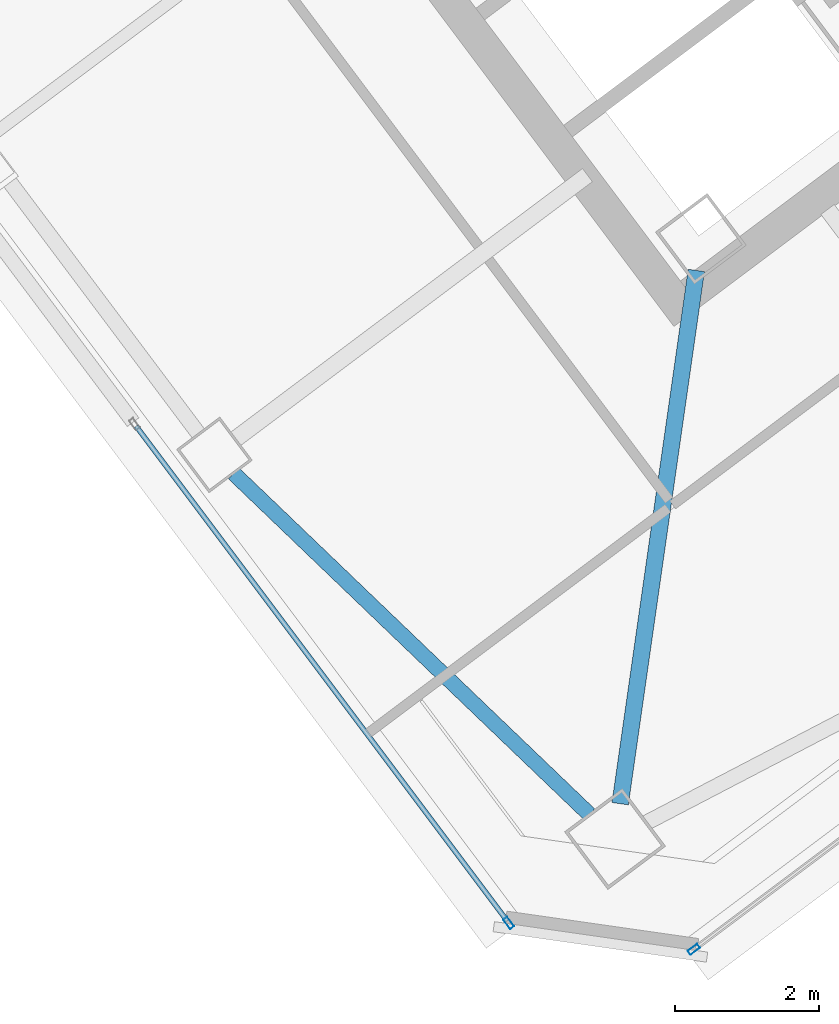
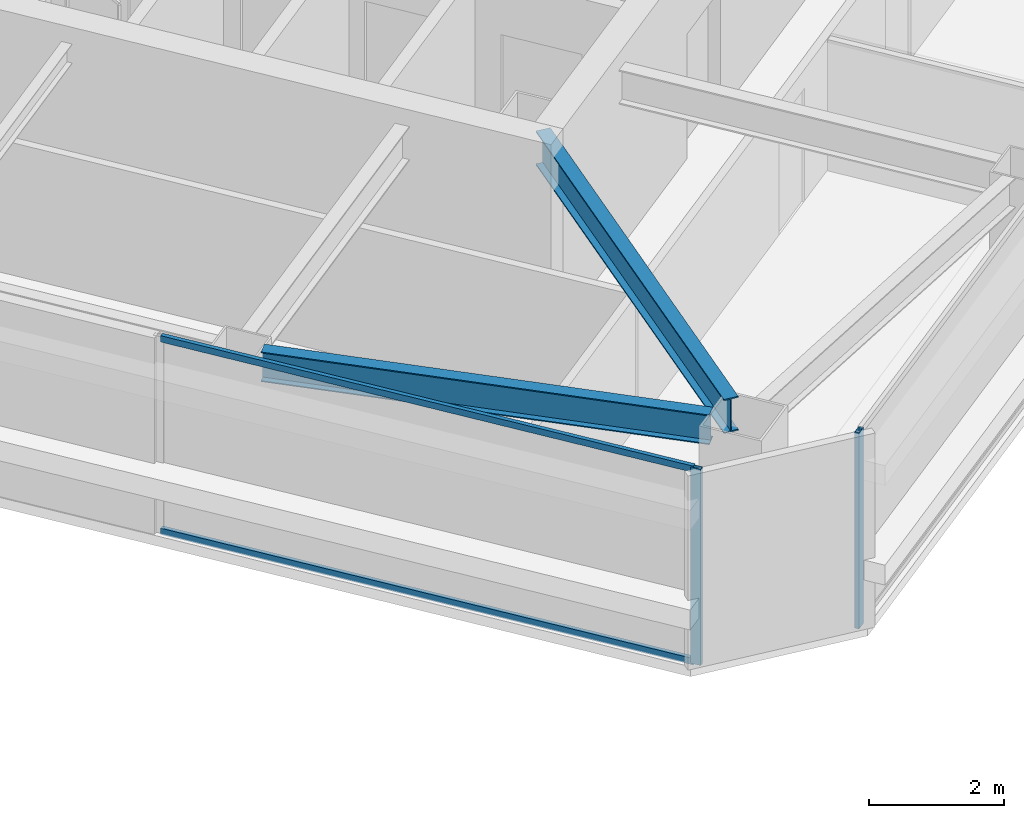
# One storey, part 17 of 39: 4 members, 2 beams, 2 elements without a shape of their own.
"""IFC4 building model written with IfcOpenShell, lengths in metres."""

from ifc_helpers import new_model, si_unit, direction, frame, origin, origin_2d, place, context, subcontext, project, spatial, hollow_rectangle, i_section, extrude, material, material_profile, profile_set, type_object, element, aggregate, save


model = new_model("IFC4")

# Units and contexts
model_context = context("Model", 3, precision=1e-05, world=origin(), true_north=direction((0.0, 1.0)))
body_context = subcontext(model_context, "Body", "Model", "MODEL_VIEW")
ifc_project = project(units=[si_unit("LENGTHUNIT", "METRE"), si_unit("AREAUNIT", "SQUARE_METRE"), si_unit("VOLUMEUNIT", "CUBIC_METRE"), si_unit("PLANEANGLEUNIT", "RADIAN"), si_unit("MASSUNIT", "GRAM", prefix="KILO")], contexts=[model_context])

# Site, building, storey
site_placement = place(None, origin())
site = spatial("IfcSite", under=ifc_project, at=site_placement, CompositionType="ELEMENT")
building_placement = place(site_placement, origin())
building = spatial("IfcBuilding", under=site, at=building_placement, Name="Tashvorn Skyway Center", CompositionType="ELEMENT")
storey_placement = place(building_placement, frame((0.0, 0.0, 243.25)))
storey = spatial("IfcBuildingStorey", under=building, at=storey_placement, Name="L66", CompositionType="ELEMENT", Elevation=243.25)

# Beams
ifc_material_1 = material(Name="Steel ASTM A992 Grade 50", Category="steel")
ifc_material_profile_1 = material_profile(ifc_material_1, i_section(OverallWidth=0.22998046875, OverallDepth=0.616943359375, WebThickness=0.01318359375, FlangeThickness=0.022216796875, at=origin_2d()), Name="W24X94")
ifc_profile_set_1 = profile_set([ifc_material_profile_1], Name="Steel ASTM A992 Grade 50")
beam_type_1 = type_object("IfcBeamType", Name="BM-BEAM-W24X94", PredefinedType="BEAM", material=ifc_profile_set_1)
beam_1_placement = place(storey_placement, frame((111.469970703125, 14.2900390625, 2.94140625), z_axis=(0.141430501853, 0.989948187102, 0.0), x_axis=(-0.989948187102, 0.141430501853, 0.0)))
element("IfcBeam", 1, at=beam_1_placement, inside=storey, type_object=beam_type_1, Name="Tower 2 L66 Primary Floor Girder MC-SW", PredefinedType="BEAM", context=body_context, shape_type="SweptSolid", body=[
    extrude(i_section(OverallWidth=0.22998046875, OverallDepth=0.616943359375, WebThickness=0.01318359375, FlangeThickness=0.022216796875, at=origin_2d()), origin(), (0.0, 0.0, 1.0), 7.474609375),
])
ifc_material_profile_2 = material_profile(ifc_material_1, i_section(OverallWidth=0.2109375, OverallDepth=0.5390625, WebThickness=0.01171875, FlangeThickness=0.018798828125, at=origin_2d()), Name="W21X73")
ifc_profile_set_2 = profile_set([ifc_material_profile_2], Name="Steel ASTM A992 Grade 50")
beam_type_2 = type_object("IfcBeamType", Name="BM-SPANDREL-W21X73", PredefinedType="SPANDREL", material=ifc_profile_set_2)
beam_2_placement = place(storey_placement, frame((106.107177734375, 18.8740234375, 2.98046875), z_axis=(0.72187522213, -0.69202323926, 0.0), x_axis=(0.69202323926, 0.72187522213, 0.0)))
element("IfcBeam", 2, at=beam_2_placement, inside=storey, type_object=beam_type_2, Name="Tower 2 L66 Spandrel Beam 12", PredefinedType="SPANDREL", context=body_context, shape_type="SweptSolid", body=[
    extrude(i_section(OverallWidth=0.2109375, OverallDepth=0.5390625, WebThickness=0.01171875, FlangeThickness=0.018798828125, at=origin_2d()), origin(), (0.0, 0.0, 1.0), 6.837158203125),
])

# Curtain wall, member
ifc_material_2 = material(Name="Thermally broken bronze-anodized aluminium 6063-T6", Category="aluminium")
curtain_wall_type = type_object("IfcCurtainWallType", Name="CW-CW-Z5", PredefinedType="NOTDEFINED", material=ifc_material_2)
curtain_wall_1_placement = place(storey_placement, origin())
curtain_wall_1 = element("IfcCurtainWall", 3, at=curtain_wall_1_placement, inside=storey, type_object=curtain_wall_type, Name="Tower 2 L66 South Unitised Curtain Wall Glazing Group 2", PredefinedType="NOTDEFINED")
ifc_material_profile_3 = material_profile(ifc_material_2, hollow_rectangle(XDim=0.070068359375, YDim=0.1650390625, WallThickness=0.00390625, at=origin_2d()), Name="ALU-MULL-70x165")
ifc_profile_set_3 = profile_set([ifc_material_profile_3], Name="Thermally broken bronze-anodized aluminium 6063-T6")
member_type_1 = type_object("IfcMemberType", Name="CWM-CW-Z5", PredefinedType="MULLION", material=ifc_profile_set_3)
member_1_placement = place(storey_placement, frame((112.491943359375, 12.26904296875, 0.0), z_axis=(0.0, 0.0, 1.0), x_axis=(0.600000000002, -0.799999999998, 0.0)))
member_1 = element("IfcMember", 4, at=member_1_placement, type_object=member_type_1, Name="CW-Z5 mullion 2", PredefinedType="MULLION", context=body_context, shape_type="SweptSolid", body=[
    extrude(hollow_rectangle(XDim=0.070068359375, YDim=0.1650390625, WallThickness=0.00390625, at=origin_2d()), origin(), (0.0, 0.0, 1.0), 3.550048828125),
])
aggregate(curtain_wall_1, [member_1])

# Curtain wall, members
curtain_wall_2_placement = place(storey_placement, origin())
curtain_wall_2 = element("IfcCurtainWall", 5, at=curtain_wall_2_placement, inside=storey, type_object=curtain_wall_type, Name="Tower 2 L66 West Unitised Curtain Wall Glazing Group 1", PredefinedType="NOTDEFINED")
member_2_placement = place(storey_placement, frame((109.923095703125, 12.635986328125, 0.0), z_axis=(0.0, 0.0, 1.0), x_axis=(-0.799999999998, -0.600000000002, 0.0)))
member_2 = element("IfcMember", 6, at=member_2_placement, type_object=member_type_1, Name="CW-Z5 mullion 1", PredefinedType="MULLION", context=body_context, shape_type="SweptSolid", body=[
    extrude(hollow_rectangle(XDim=0.070068359375, YDim=0.1650390625, WallThickness=0.00390625, at=origin_2d()), origin(), (0.0, 0.0, 1.0), 3.550048828125),
])
ifc_material_profile_4 = material_profile(ifc_material_2, hollow_rectangle(XDim=0.070068359375, YDim=0.114990234375, WallThickness=0.00390625, at=origin_2d()), Name="ALU-TRAN-70x115")
ifc_profile_set_4 = profile_set([ifc_material_profile_4], Name="Thermally broken bronze-anodized aluminium 6063-T6")
member_type_2 = type_object("IfcMemberType", Name="CWT-CW-Z5", PredefinedType="USERDEFINED", material=ifc_profile_set_4)
member_3_placement = place(storey_placement, frame((109.902099609375, 12.6640625, 0.034912109375), z_axis=(-0.600013657927, 0.799989756372, 0.0), x_axis=(-0.799989756372, -0.600013657927, 0.0)))
member_3 = element("IfcMember", 7, at=member_3_placement, type_object=member_type_2, Name="CW-Z5 transom 1.1", ObjectType="TRANSOM", PredefinedType="USERDEFINED", context=body_context, shape_type="SweptSolid", body=[
    extrude(hollow_rectangle(XDim=0.070068359375, YDim=0.114990234375, WallThickness=0.00390625, at=origin_2d()), origin(), (0.0, 0.0, 1.0), 8.580078125),
])
member_4_placement = place(storey_placement, frame((109.902099609375, 12.6640625, 3.514892578125), z_axis=(-0.600013657927, 0.799989756372, 0.0), x_axis=(-0.799989756372, -0.600013657927, 0.0)))
member_4 = element("IfcMember", 8, at=member_4_placement, type_object=member_type_2, Name="CW-Z5 transom 1.2", ObjectType="TRANSOM", PredefinedType="USERDEFINED", context=body_context, shape_type="SweptSolid", body=[
    extrude(hollow_rectangle(XDim=0.070068359375, YDim=0.114990234375, WallThickness=0.00390625, at=origin_2d()), origin(), (0.0, 0.0, 1.0), 8.580078125),
])
aggregate(curtain_wall_2, [member_2, member_3, member_4])

save(model, "model.ifc")
